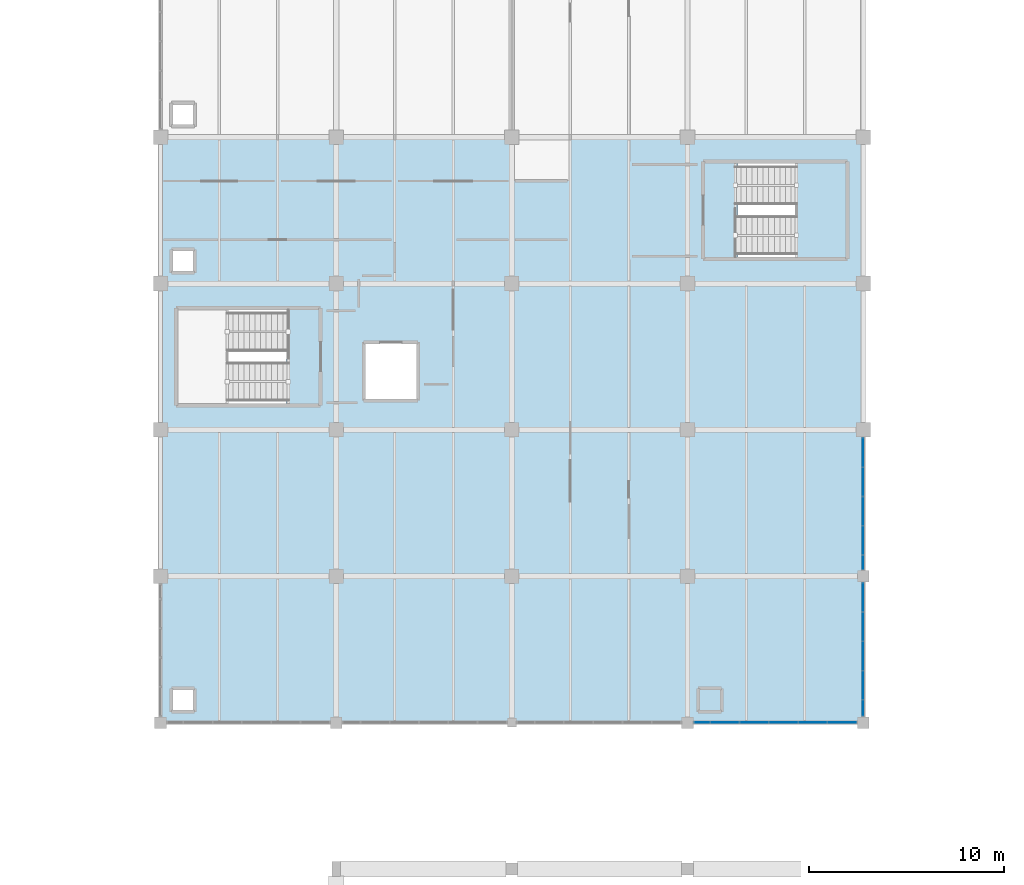
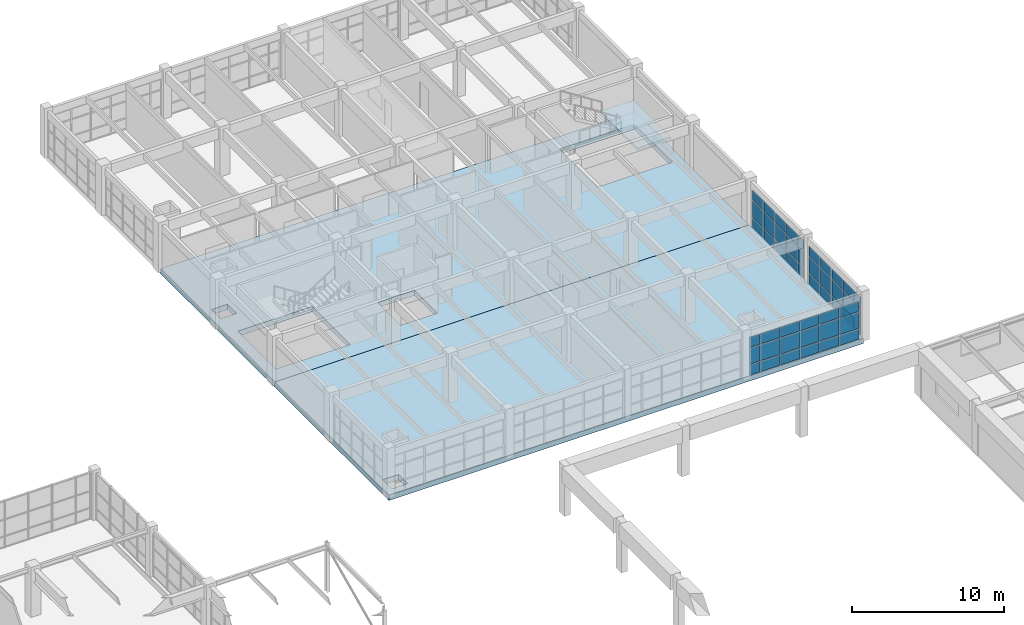
# One storey, part 50 of 76: 48 plates, 3 slabs, 4 elements without a shape of their own.
"""IFC4 building model written with IfcOpenShell, lengths in metres."""

from ifc_helpers import new_model, si_unit, direction, frame, origin, origin_2d, place, context, subcontext, project, spatial, polyline, rectangle, outline, extrude, material, layer, layer_set, type_object, element, aggregate, save


model = new_model("IFC4")

# Units and contexts
model_context = context("Model", 3, precision=1e-05, world=origin(), true_north=direction((0.0, 1.0)))
body_context = subcontext(model_context, "Body", "Model", "MODEL_VIEW")
ifc_project = project(units=[si_unit("LENGTHUNIT", "METRE"), si_unit("AREAUNIT", "SQUARE_METRE"), si_unit("VOLUMEUNIT", "CUBIC_METRE"), si_unit("PLANEANGLEUNIT", "RADIAN"), si_unit("MASSUNIT", "GRAM", prefix="KILO")], contexts=[model_context])

# Site, building, storey
site_placement = place(None, origin())
site = spatial("IfcSite", under=ifc_project, at=site_placement, CompositionType="ELEMENT")
building_placement = place(site_placement, origin())
building = spatial("IfcBuilding", under=site, at=building_placement, Name="Marnridge Secondary College", CompositionType="ELEMENT")
storey_placement = place(building_placement, frame((0.0, 0.0, 4.5)))
storey = spatial("IfcBuildingStorey", under=building, at=storey_placement, Name="L01", CompositionType="ELEMENT", Elevation=4.5)

# Curtain wall, plates
ifc_material_1 = material(Name="Thermally broken aluminium and low-E glazing", Category="aluminium")
ifc_layer_1 = layer(ifc_material_1, 0.159912109375)
ifc_layer_set_1 = layer_set([ifc_layer_1], Name="CW-MOD-1500")
curtain_wall_type = type_object("IfcCurtainWallType", Name="CW-MOD-1500", PredefinedType="NOTDEFINED", material=ifc_layer_set_1)
curtain_wall_1_placement = place(storey_placement, origin())
curtain_wall_1 = element("IfcCurtainWall", 1, at=curtain_wall_1_placement, inside=storey, type_object=curtain_wall_type, Name="Unitised curtain wall CW-L01-033", PredefinedType="NOTDEFINED")
ifc_material_2 = material(Name="Double-glazed low-E argon unit", Category="glass")
ifc_layer_2 = layer(ifc_material_2, 0.028076171875)
ifc_layer_set_2 = layer_set([ifc_layer_2], Name="CWP-GLZ28")
plate_type = type_object("IfcPlateType", Name="CWP-GLZ28", PredefinedType="CURTAIN_PANEL", material=ifc_layer_set_2)
plate_1_placement = place(storey_placement, frame((90.0, 51.341064453125, 0.06005859375), z_axis=(0.0, 0.0, 1.0), x_axis=(0.0, -1.0, 0.0)))
plate_1 = element("IfcPlate", 2, at=plate_1_placement, type_object=plate_type, Name="CW-L01-033 panel 1.1", PredefinedType="CURTAIN_PANEL", context=body_context, shape_type="SweptSolid", body=[
    extrude(rectangle(XDim=1.43994140625, YDim=0.028076171875, at=origin_2d()), origin(), (0.0, 0.0, 1.0), 0.81005859375),
])
plate_2_placement = place(storey_placement, frame((90.0, 51.341064453125, 0.929931640625), z_axis=(0.0, 0.0, 1.0), x_axis=(0.0, -1.0, 0.0)))
plate_2 = element("IfcPlate", 3, at=plate_2_placement, type_object=plate_type, Name="CW-L01-033 panel 1.2", PredefinedType="CURTAIN_PANEL", context=body_context, shape_type="SweptSolid", body=[
    extrude(rectangle(XDim=1.43994140625, YDim=0.028076171875, at=origin_2d()), origin(), (0.0, 0.0, 1.0), 1.2900390625),
])
plate_3_placement = place(storey_placement, frame((90.0, 51.341064453125, 2.2802734375), z_axis=(0.0, 0.0, 1.0), x_axis=(0.0, -1.0, 0.0)))
plate_3 = element("IfcPlate", 4, at=plate_3_placement, type_object=plate_type, Name="CW-L01-033 panel 1.3", PredefinedType="CURTAIN_PANEL", context=body_context, shape_type="SweptSolid", body=[
    extrude(rectangle(XDim=1.43994140625, YDim=0.028076171875, at=origin_2d()), origin(), (0.0, 0.0, 1.0), 0.806884765625),
])
plate_4_placement = place(storey_placement, frame((90.0, 49.841064453125, 0.06005859375), z_axis=(0.0, 0.0, 1.0), x_axis=(0.0, -1.0, 0.0)))
plate_4 = element("IfcPlate", 5, at=plate_4_placement, type_object=plate_type, Name="CW-L01-033 panel 2.1", PredefinedType="CURTAIN_PANEL", context=body_context, shape_type="SweptSolid", body=[
    extrude(rectangle(XDim=1.43994140625, YDim=0.028076171875, at=origin_2d()), origin(), (0.0, 0.0, 1.0), 0.81005859375),
])
plate_5_placement = place(storey_placement, frame((90.0, 49.841064453125, 0.929931640625), z_axis=(0.0, 0.0, 1.0), x_axis=(0.0, -1.0, 0.0)))
plate_5 = element("IfcPlate", 6, at=plate_5_placement, type_object=plate_type, Name="CW-L01-033 panel 2.2", PredefinedType="CURTAIN_PANEL", context=body_context, shape_type="SweptSolid", body=[
    extrude(rectangle(XDim=1.43994140625, YDim=0.028076171875, at=origin_2d()), origin(), (0.0, 0.0, 1.0), 1.2900390625),
])
plate_6_placement = place(storey_placement, frame((90.0, 49.841064453125, 2.2802734375), z_axis=(0.0, 0.0, 1.0), x_axis=(0.0, -1.0, 0.0)))
plate_6 = element("IfcPlate", 7, at=plate_6_placement, type_object=plate_type, Name="CW-L01-033 panel 2.3", PredefinedType="CURTAIN_PANEL", context=body_context, shape_type="SweptSolid", body=[
    extrude(rectangle(XDim=1.43994140625, YDim=0.028076171875, at=origin_2d()), origin(), (0.0, 0.0, 1.0), 0.806884765625),
])
plate_7_placement = place(storey_placement, frame((90.0, 48.341064453125, 0.06005859375), z_axis=(0.0, 0.0, 1.0), x_axis=(0.0, -1.0, 0.0)))
plate_7 = element("IfcPlate", 8, at=plate_7_placement, type_object=plate_type, Name="CW-L01-033 panel 3.1", PredefinedType="CURTAIN_PANEL", context=body_context, shape_type="SweptSolid", body=[
    extrude(rectangle(XDim=1.43994140625, YDim=0.028076171875, at=origin_2d()), origin(), (0.0, 0.0, 1.0), 0.81005859375),
])
plate_8_placement = place(storey_placement, frame((90.0, 48.341064453125, 0.929931640625), z_axis=(0.0, 0.0, 1.0), x_axis=(0.0, -1.0, 0.0)))
plate_8 = element("IfcPlate", 9, at=plate_8_placement, type_object=plate_type, Name="CW-L01-033 panel 3.2", PredefinedType="CURTAIN_PANEL", context=body_context, shape_type="SweptSolid", body=[
    extrude(rectangle(XDim=1.43994140625, YDim=0.028076171875, at=origin_2d()), origin(), (0.0, 0.0, 1.0), 1.2900390625),
])
plate_9_placement = place(storey_placement, frame((90.0, 48.341064453125, 2.2802734375), z_axis=(0.0, 0.0, 1.0), x_axis=(0.0, -1.0, 0.0)))
plate_9 = element("IfcPlate", 10, at=plate_9_placement, type_object=plate_type, Name="CW-L01-033 panel 3.3", PredefinedType="CURTAIN_PANEL", context=body_context, shape_type="SweptSolid", body=[
    extrude(rectangle(XDim=1.43994140625, YDim=0.028076171875, at=origin_2d()), origin(), (0.0, 0.0, 1.0), 0.806884765625),
])
plate_10_placement = place(storey_placement, frame((90.0, 46.841064453125, 0.06005859375), z_axis=(0.0, 0.0, 1.0), x_axis=(0.0, -1.0, 0.0)))
plate_10 = element("IfcPlate", 11, at=plate_10_placement, type_object=plate_type, Name="CW-L01-033 panel 4.1", PredefinedType="CURTAIN_PANEL", context=body_context, shape_type="SweptSolid", body=[
    extrude(rectangle(XDim=1.43994140625, YDim=0.028076171875, at=origin_2d()), origin(), (0.0, 0.0, 1.0), 0.81005859375),
])
plate_11_placement = place(storey_placement, frame((90.0, 46.841064453125, 0.929931640625), z_axis=(0.0, 0.0, 1.0), x_axis=(0.0, -1.0, 0.0)))
plate_11 = element("IfcPlate", 12, at=plate_11_placement, type_object=plate_type, Name="CW-L01-033 panel 4.2", PredefinedType="CURTAIN_PANEL", context=body_context, shape_type="SweptSolid", body=[
    extrude(rectangle(XDim=1.43994140625, YDim=0.028076171875, at=origin_2d()), origin(), (0.0, 0.0, 1.0), 1.2900390625),
])
plate_12_placement = place(storey_placement, frame((90.0, 46.841064453125, 2.2802734375), z_axis=(0.0, 0.0, 1.0), x_axis=(0.0, -1.0, 0.0)))
plate_12 = element("IfcPlate", 13, at=plate_12_placement, type_object=plate_type, Name="CW-L01-033 panel 4.3", PredefinedType="CURTAIN_PANEL", context=body_context, shape_type="SweptSolid", body=[
    extrude(rectangle(XDim=1.43994140625, YDim=0.028076171875, at=origin_2d()), origin(), (0.0, 0.0, 1.0), 0.806884765625),
])
plate_13_placement = place(storey_placement, frame((90.0, 45.71240234375, 0.06005859375), z_axis=(0.0, 0.0, 1.0), x_axis=(0.0, -1.0, 0.0)))
plate_13 = element("IfcPlate", 14, at=plate_13_placement, type_object=plate_type, Name="CW-L01-033 panel 5.1", PredefinedType="CURTAIN_PANEL", context=body_context, shape_type="SweptSolid", body=[
    extrude(rectangle(XDim=0.697021484375, YDim=0.028076171875, at=origin_2d()), origin(), (0.0, 0.0, 1.0), 0.81005859375),
])
plate_14_placement = place(storey_placement, frame((90.0, 45.71240234375, 0.929931640625), z_axis=(0.0, 0.0, 1.0), x_axis=(0.0, -1.0, 0.0)))
plate_14 = element("IfcPlate", 15, at=plate_14_placement, type_object=plate_type, Name="CW-L01-033 panel 5.2", PredefinedType="CURTAIN_PANEL", context=body_context, shape_type="SweptSolid", body=[
    extrude(rectangle(XDim=0.697021484375, YDim=0.028076171875, at=origin_2d()), origin(), (0.0, 0.0, 1.0), 1.2900390625),
])
plate_15_placement = place(storey_placement, frame((90.0, 45.71240234375, 2.2802734375), z_axis=(0.0, 0.0, 1.0), x_axis=(0.0, -1.0, 0.0)))
plate_15 = element("IfcPlate", 16, at=plate_15_placement, type_object=plate_type, Name="CW-L01-033 panel 5.3", PredefinedType="CURTAIN_PANEL", context=body_context, shape_type="SweptSolid", body=[
    extrude(rectangle(XDim=0.697021484375, YDim=0.028076171875, at=origin_2d()), origin(), (0.0, 0.0, 1.0), 0.806884765625),
])
aggregate(curtain_wall_1, [plate_1, plate_2, plate_3, plate_4, plate_5, plate_6, plate_7, plate_8, plate_9, plate_10, plate_11, plate_12, plate_13, plate_14, plate_15])

curtain_wall_2_placement = place(storey_placement, origin())
curtain_wall_2 = element("IfcCurtainWall", 17, at=curtain_wall_2_placement, inside=storey, type_object=curtain_wall_type, Name="Unitised curtain wall CW-L01-034", PredefinedType="NOTDEFINED")
plate_16_placement = place(storey_placement, frame((90.0, 43.916015625, 0.06005859375), z_axis=(0.0, 0.0, 1.0), x_axis=(0.0, -1.0, 0.0)))
plate_16 = element("IfcPlate", 18, at=plate_16_placement, type_object=plate_type, Name="CW-L01-034 panel 1.1", PredefinedType="CURTAIN_PANEL", context=body_context, shape_type="SweptSolid", body=[
    extrude(rectangle(XDim=1.43994140625, YDim=0.028076171875, at=origin_2d()), origin(), (0.0, 0.0, 1.0), 0.81005859375),
])
plate_17_placement = place(storey_placement, frame((90.0, 43.916015625, 0.929931640625), z_axis=(0.0, 0.0, 1.0), x_axis=(0.0, -1.0, 0.0)))
plate_17 = element("IfcPlate", 19, at=plate_17_placement, type_object=plate_type, Name="CW-L01-034 panel 1.2", PredefinedType="CURTAIN_PANEL", context=body_context, shape_type="SweptSolid", body=[
    extrude(rectangle(XDim=1.43994140625, YDim=0.028076171875, at=origin_2d()), origin(), (0.0, 0.0, 1.0), 1.2900390625),
])
plate_18_placement = place(storey_placement, frame((90.0, 43.916015625, 2.2802734375), z_axis=(0.0, 0.0, 1.0), x_axis=(0.0, -1.0, 0.0)))
plate_18 = element("IfcPlate", 20, at=plate_18_placement, type_object=plate_type, Name="CW-L01-034 panel 1.3", PredefinedType="CURTAIN_PANEL", context=body_context, shape_type="SweptSolid", body=[
    extrude(rectangle(XDim=1.43994140625, YDim=0.028076171875, at=origin_2d()), origin(), (0.0, 0.0, 1.0), 0.806884765625),
])
plate_19_placement = place(storey_placement, frame((90.0, 42.416015625, 0.06005859375), z_axis=(0.0, 0.0, 1.0), x_axis=(0.0, -1.0, 0.0)))
plate_19 = element("IfcPlate", 21, at=plate_19_placement, type_object=plate_type, Name="CW-L01-034 panel 2.1", PredefinedType="CURTAIN_PANEL", context=body_context, shape_type="SweptSolid", body=[
    extrude(rectangle(XDim=1.43994140625, YDim=0.028076171875, at=origin_2d()), origin(), (0.0, 0.0, 1.0), 0.81005859375),
])
plate_20_placement = place(storey_placement, frame((90.0, 42.416015625, 0.929931640625), z_axis=(0.0, 0.0, 1.0), x_axis=(0.0, -1.0, 0.0)))
plate_20 = element("IfcPlate", 22, at=plate_20_placement, type_object=plate_type, Name="CW-L01-034 panel 2.2", PredefinedType="CURTAIN_PANEL", context=body_context, shape_type="SweptSolid", body=[
    extrude(rectangle(XDim=1.43994140625, YDim=0.028076171875, at=origin_2d()), origin(), (0.0, 0.0, 1.0), 1.2900390625),
])
plate_21_placement = place(storey_placement, frame((90.0, 42.416015625, 2.2802734375), z_axis=(0.0, 0.0, 1.0), x_axis=(0.0, -1.0, 0.0)))
plate_21 = element("IfcPlate", 23, at=plate_21_placement, type_object=plate_type, Name="CW-L01-034 panel 2.3", PredefinedType="CURTAIN_PANEL", context=body_context, shape_type="SweptSolid", body=[
    extrude(rectangle(XDim=1.43994140625, YDim=0.028076171875, at=origin_2d()), origin(), (0.0, 0.0, 1.0), 0.806884765625),
])
plate_22_placement = place(storey_placement, frame((90.0, 40.916015625, 0.06005859375), z_axis=(0.0, 0.0, 1.0), x_axis=(0.0, -1.0, 0.0)))
plate_22 = element("IfcPlate", 24, at=plate_22_placement, type_object=plate_type, Name="CW-L01-034 panel 3.1", PredefinedType="CURTAIN_PANEL", context=body_context, shape_type="SweptSolid", body=[
    extrude(rectangle(XDim=1.43994140625, YDim=0.028076171875, at=origin_2d()), origin(), (0.0, 0.0, 1.0), 0.81005859375),
])
plate_23_placement = place(storey_placement, frame((90.0, 40.916015625, 0.929931640625), z_axis=(0.0, 0.0, 1.0), x_axis=(0.0, -1.0, 0.0)))
plate_23 = element("IfcPlate", 25, at=plate_23_placement, type_object=plate_type, Name="CW-L01-034 panel 3.2", PredefinedType="CURTAIN_PANEL", context=body_context, shape_type="SweptSolid", body=[
    extrude(rectangle(XDim=1.43994140625, YDim=0.028076171875, at=origin_2d()), origin(), (0.0, 0.0, 1.0), 1.2900390625),
])
plate_24_placement = place(storey_placement, frame((90.0, 40.916015625, 2.2802734375), z_axis=(0.0, 0.0, 1.0), x_axis=(0.0, -1.0, 0.0)))
plate_24 = element("IfcPlate", 26, at=plate_24_placement, type_object=plate_type, Name="CW-L01-034 panel 3.3", PredefinedType="CURTAIN_PANEL", context=body_context, shape_type="SweptSolid", body=[
    extrude(rectangle(XDim=1.43994140625, YDim=0.028076171875, at=origin_2d()), origin(), (0.0, 0.0, 1.0), 0.806884765625),
])
plate_25_placement = place(storey_placement, frame((90.0, 39.416015625, 0.06005859375), z_axis=(0.0, 0.0, 1.0), x_axis=(0.0, -1.0, 0.0)))
plate_25 = element("IfcPlate", 27, at=plate_25_placement, type_object=plate_type, Name="CW-L01-034 panel 4.1", PredefinedType="CURTAIN_PANEL", context=body_context, shape_type="SweptSolid", body=[
    extrude(rectangle(XDim=1.43994140625, YDim=0.028076171875, at=origin_2d()), origin(), (0.0, 0.0, 1.0), 0.81005859375),
])
plate_26_placement = place(storey_placement, frame((90.0, 39.416015625, 0.929931640625), z_axis=(0.0, 0.0, 1.0), x_axis=(0.0, -1.0, 0.0)))
plate_26 = element("IfcPlate", 28, at=plate_26_placement, type_object=plate_type, Name="CW-L01-034 panel 4.2", PredefinedType="CURTAIN_PANEL", context=body_context, shape_type="SweptSolid", body=[
    extrude(rectangle(XDim=1.43994140625, YDim=0.028076171875, at=origin_2d()), origin(), (0.0, 0.0, 1.0), 1.2900390625),
])
plate_27_placement = place(storey_placement, frame((90.0, 39.416015625, 2.2802734375), z_axis=(0.0, 0.0, 1.0), x_axis=(0.0, -1.0, 0.0)))
plate_27 = element("IfcPlate", 29, at=plate_27_placement, type_object=plate_type, Name="CW-L01-034 panel 4.3", PredefinedType="CURTAIN_PANEL", context=body_context, shape_type="SweptSolid", body=[
    extrude(rectangle(XDim=1.43994140625, YDim=0.028076171875, at=origin_2d()), origin(), (0.0, 0.0, 1.0), 0.806884765625),
])
plate_28_placement = place(storey_placement, frame((90.0, 38.25, 0.06005859375), z_axis=(0.0, 0.0, 1.0), x_axis=(0.0, -1.0, 0.0)))
plate_28 = element("IfcPlate", 30, at=plate_28_placement, type_object=plate_type, Name="CW-L01-034 panel 5.1", PredefinedType="CURTAIN_PANEL", context=body_context, shape_type="SweptSolid", body=[
    extrude(rectangle(XDim=0.77197265625, YDim=0.028076171875, at=origin_2d()), origin(), (0.0, 0.0, 1.0), 0.81005859375),
])
plate_29_placement = place(storey_placement, frame((90.0, 38.25, 0.929931640625), z_axis=(0.0, 0.0, 1.0), x_axis=(0.0, -1.0, 0.0)))
plate_29 = element("IfcPlate", 31, at=plate_29_placement, type_object=plate_type, Name="CW-L01-034 panel 5.2", PredefinedType="CURTAIN_PANEL", context=body_context, shape_type="SweptSolid", body=[
    extrude(rectangle(XDim=0.77197265625, YDim=0.028076171875, at=origin_2d()), origin(), (0.0, 0.0, 1.0), 1.2900390625),
])
plate_30_placement = place(storey_placement, frame((90.0, 38.25, 2.2802734375), z_axis=(0.0, 0.0, 1.0), x_axis=(0.0, -1.0, 0.0)))
plate_30 = element("IfcPlate", 32, at=plate_30_placement, type_object=plate_type, Name="CW-L01-034 panel 5.3", PredefinedType="CURTAIN_PANEL", context=body_context, shape_type="SweptSolid", body=[
    extrude(rectangle(XDim=0.77197265625, YDim=0.028076171875, at=origin_2d()), origin(), (0.0, 0.0, 1.0), 0.806884765625),
])
aggregate(curtain_wall_2, [plate_16, plate_17, plate_18, plate_19, plate_20, plate_21, plate_22, plate_23, plate_24, plate_25, plate_26, plate_27, plate_28, plate_29, plate_30])

curtain_wall_3_placement = place(storey_placement, origin())
curtain_wall_3 = element("IfcCurtainWall", 33, at=curtain_wall_3_placement, inside=storey, type_object=curtain_wall_type, Name="Unitised curtain wall CW-L01-035", PredefinedType="NOTDEFINED")
plate_31_placement = place(storey_placement, frame((88.916015625, 37.5, 0.06005859375), z_axis=(0.0, 0.0, 1.0), x_axis=(-1.0, 0.0, 0.0)))
plate_31 = element("IfcPlate", 34, at=plate_31_placement, type_object=plate_type, Name="CW-L01-035 panel 1.1", PredefinedType="CURTAIN_PANEL", context=body_context, shape_type="SweptSolid", body=[
    extrude(rectangle(XDim=1.43994140625, YDim=0.028076171875, at=origin_2d()), origin(), (0.0, 0.0, 1.0), 0.81005859375),
])
plate_32_placement = place(storey_placement, frame((88.916015625, 37.5, 0.929931640625), z_axis=(0.0, 0.0, 1.0), x_axis=(-1.0, 0.0, 0.0)))
plate_32 = element("IfcPlate", 35, at=plate_32_placement, type_object=plate_type, Name="CW-L01-035 panel 1.2", PredefinedType="CURTAIN_PANEL", context=body_context, shape_type="SweptSolid", body=[
    extrude(rectangle(XDim=1.43994140625, YDim=0.028076171875, at=origin_2d()), origin(), (0.0, 0.0, 1.0), 1.2900390625),
])
plate_33_placement = place(storey_placement, frame((88.916015625, 37.5, 2.2802734375), z_axis=(0.0, 0.0, 1.0), x_axis=(-1.0, 0.0, 0.0)))
plate_33 = element("IfcPlate", 36, at=plate_33_placement, type_object=plate_type, Name="CW-L01-035 panel 1.3", PredefinedType="CURTAIN_PANEL", context=body_context, shape_type="SweptSolid", body=[
    extrude(rectangle(XDim=1.43994140625, YDim=0.028076171875, at=origin_2d()), origin(), (0.0, 0.0, 1.0), 0.806884765625),
])
plate_34_placement = place(storey_placement, frame((87.416015625, 37.5, 0.06005859375), z_axis=(0.0, 0.0, 1.0), x_axis=(-1.0, 0.0, 0.0)))
plate_34 = element("IfcPlate", 37, at=plate_34_placement, type_object=plate_type, Name="CW-L01-035 panel 2.1", PredefinedType="CURTAIN_PANEL", context=body_context, shape_type="SweptSolid", body=[
    extrude(rectangle(XDim=1.43994140625, YDim=0.028076171875, at=origin_2d()), origin(), (0.0, 0.0, 1.0), 0.81005859375),
])
plate_35_placement = place(storey_placement, frame((87.416015625, 37.5, 0.929931640625), z_axis=(0.0, 0.0, 1.0), x_axis=(-1.0, 0.0, 0.0)))
plate_35 = element("IfcPlate", 38, at=plate_35_placement, type_object=plate_type, Name="CW-L01-035 panel 2.2", PredefinedType="CURTAIN_PANEL", context=body_context, shape_type="SweptSolid", body=[
    extrude(rectangle(XDim=1.43994140625, YDim=0.028076171875, at=origin_2d()), origin(), (0.0, 0.0, 1.0), 1.2900390625),
])
plate_36_placement = place(storey_placement, frame((87.416015625, 37.5, 2.2802734375), z_axis=(0.0, 0.0, 1.0), x_axis=(-1.0, 0.0, 0.0)))
plate_36 = element("IfcPlate", 39, at=plate_36_placement, type_object=plate_type, Name="CW-L01-035 panel 2.3", PredefinedType="CURTAIN_PANEL", context=body_context, shape_type="SweptSolid", body=[
    extrude(rectangle(XDim=1.43994140625, YDim=0.028076171875, at=origin_2d()), origin(), (0.0, 0.0, 1.0), 0.806884765625),
])
plate_37_placement = place(storey_placement, frame((85.916015625, 37.5, 0.06005859375), z_axis=(0.0, 0.0, 1.0), x_axis=(-1.0, 0.0, 0.0)))
plate_37 = element("IfcPlate", 40, at=plate_37_placement, type_object=plate_type, Name="CW-L01-035 panel 3.1", PredefinedType="CURTAIN_PANEL", context=body_context, shape_type="SweptSolid", body=[
    extrude(rectangle(XDim=1.43994140625, YDim=0.028076171875, at=origin_2d()), origin(), (0.0, 0.0, 1.0), 0.81005859375),
])
plate_38_placement = place(storey_placement, frame((85.916015625, 37.5, 0.929931640625), z_axis=(0.0, 0.0, 1.0), x_axis=(-1.0, 0.0, 0.0)))
plate_38 = element("IfcPlate", 41, at=plate_38_placement, type_object=plate_type, Name="CW-L01-035 panel 3.2", PredefinedType="CURTAIN_PANEL", context=body_context, shape_type="SweptSolid", body=[
    extrude(rectangle(XDim=1.43994140625, YDim=0.028076171875, at=origin_2d()), origin(), (0.0, 0.0, 1.0), 1.2900390625),
])
plate_39_placement = place(storey_placement, frame((85.916015625, 37.5, 2.2802734375), z_axis=(0.0, 0.0, 1.0), x_axis=(-1.0, 0.0, 0.0)))
plate_39 = element("IfcPlate", 42, at=plate_39_placement, type_object=plate_type, Name="CW-L01-035 panel 3.3", PredefinedType="CURTAIN_PANEL", context=body_context, shape_type="SweptSolid", body=[
    extrude(rectangle(XDim=1.43994140625, YDim=0.028076171875, at=origin_2d()), origin(), (0.0, 0.0, 1.0), 0.806884765625),
])
plate_40_placement = place(storey_placement, frame((84.416015625, 37.5, 0.06005859375), z_axis=(0.0, 0.0, 1.0), x_axis=(-1.0, 0.0, 0.0)))
plate_40 = element("IfcPlate", 43, at=plate_40_placement, type_object=plate_type, Name="CW-L01-035 panel 4.1", PredefinedType="CURTAIN_PANEL", context=body_context, shape_type="SweptSolid", body=[
    extrude(rectangle(XDim=1.43994140625, YDim=0.028076171875, at=origin_2d()), origin(), (0.0, 0.0, 1.0), 0.81005859375),
])
plate_41_placement = place(storey_placement, frame((84.416015625, 37.5, 0.929931640625), z_axis=(0.0, 0.0, 1.0), x_axis=(-1.0, 0.0, 0.0)))
plate_41 = element("IfcPlate", 44, at=plate_41_placement, type_object=plate_type, Name="CW-L01-035 panel 4.2", PredefinedType="CURTAIN_PANEL", context=body_context, shape_type="SweptSolid", body=[
    extrude(rectangle(XDim=1.43994140625, YDim=0.028076171875, at=origin_2d()), origin(), (0.0, 0.0, 1.0), 1.2900390625),
])
plate_42_placement = place(storey_placement, frame((84.416015625, 37.5, 2.2802734375), z_axis=(0.0, 0.0, 1.0), x_axis=(-1.0, 0.0, 0.0)))
plate_42 = element("IfcPlate", 45, at=plate_42_placement, type_object=plate_type, Name="CW-L01-035 panel 4.3", PredefinedType="CURTAIN_PANEL", context=body_context, shape_type="SweptSolid", body=[
    extrude(rectangle(XDim=1.43994140625, YDim=0.028076171875, at=origin_2d()), origin(), (0.0, 0.0, 1.0), 0.806884765625),
])
plate_43_placement = place(storey_placement, frame((82.916015625, 37.5, 0.06005859375), z_axis=(0.0, 0.0, 1.0), x_axis=(-1.0, 0.0, 0.0)))
plate_43 = element("IfcPlate", 46, at=plate_43_placement, type_object=plate_type, Name="CW-L01-035 panel 5.1", PredefinedType="CURTAIN_PANEL", context=body_context, shape_type="SweptSolid", body=[
    extrude(rectangle(XDim=1.43994140625, YDim=0.028076171875, at=origin_2d()), origin(), (0.0, 0.0, 1.0), 0.81005859375),
])
plate_44_placement = place(storey_placement, frame((82.916015625, 37.5, 0.929931640625), z_axis=(0.0, 0.0, 1.0), x_axis=(-1.0, 0.0, 0.0)))
plate_44 = element("IfcPlate", 47, at=plate_44_placement, type_object=plate_type, Name="CW-L01-035 panel 5.2", PredefinedType="CURTAIN_PANEL", context=body_context, shape_type="SweptSolid", body=[
    extrude(rectangle(XDim=1.43994140625, YDim=0.028076171875, at=origin_2d()), origin(), (0.0, 0.0, 1.0), 1.2900390625),
])
plate_45_placement = place(storey_placement, frame((82.916015625, 37.5, 2.2802734375), z_axis=(0.0, 0.0, 1.0), x_axis=(-1.0, 0.0, 0.0)))
plate_45 = element("IfcPlate", 48, at=plate_45_placement, type_object=plate_type, Name="CW-L01-035 panel 5.3", PredefinedType="CURTAIN_PANEL", context=body_context, shape_type="SweptSolid", body=[
    extrude(rectangle(XDim=1.43994140625, YDim=0.028076171875, at=origin_2d()), origin(), (0.0, 0.0, 1.0), 0.806884765625),
])
plate_46_placement = place(storey_placement, frame((81.75, 37.5, 0.06005859375), z_axis=(0.0, 0.0, 1.0), x_axis=(-1.0, 0.0, 0.0)))
plate_46 = element("IfcPlate", 49, at=plate_46_placement, type_object=plate_type, Name="CW-L01-035 panel 6.1", PredefinedType="CURTAIN_PANEL", context=body_context, shape_type="SweptSolid", body=[
    extrude(rectangle(XDim=0.77197265625, YDim=0.028076171875, at=origin_2d()), origin(), (0.0, 0.0, 1.0), 0.81005859375),
])
plate_47_placement = place(storey_placement, frame((81.75, 37.5, 0.929931640625), z_axis=(0.0, 0.0, 1.0), x_axis=(-1.0, 0.0, 0.0)))
plate_47 = element("IfcPlate", 50, at=plate_47_placement, type_object=plate_type, Name="CW-L01-035 panel 6.2", PredefinedType="CURTAIN_PANEL", context=body_context, shape_type="SweptSolid", body=[
    extrude(rectangle(XDim=0.77197265625, YDim=0.028076171875, at=origin_2d()), origin(), (0.0, 0.0, 1.0), 1.2900390625),
])
plate_48_placement = place(storey_placement, frame((81.75, 37.5, 2.2802734375), z_axis=(0.0, 0.0, 1.0), x_axis=(-1.0, 0.0, 0.0)))
plate_48 = element("IfcPlate", 51, at=plate_48_placement, type_object=plate_type, Name="CW-L01-035 panel 6.3", PredefinedType="CURTAIN_PANEL", context=body_context, shape_type="SweptSolid", body=[
    extrude(rectangle(XDim=0.77197265625, YDim=0.028076171875, at=origin_2d()), origin(), (0.0, 0.0, 1.0), 0.806884765625),
])
aggregate(curtain_wall_3, [plate_31, plate_32, plate_33, plate_34, plate_35, plate_36, plate_37, plate_38, plate_39, plate_40, plate_41, plate_42, plate_43, plate_44, plate_45, plate_46, plate_47, plate_48])

# Stair, slab
ifc_material_3 = material(Name="Concrete C40/50 (AS 3600 N40, 40 MPa)", Category="concrete")
stair_type = type_object("IfcStairType", Name="STC1", PredefinedType="HALF_TURN_STAIR", material=ifc_material_3)
stair_placement = place(storey_placement, origin())
stair = element("IfcStair", 52, at=stair_placement, inside=storey, type_object=stair_type, Name="Fire-isolated stair ST-02-L01", PredefinedType="HALF_TURN_STAIR")
ifc_material_4 = material(Name="Concrete C40/50 (AS 3600 N40, 40 MPa)", Category="concrete")
ifc_layer_3 = layer(ifc_material_4, 0.199951171875)
ifc_layer_set_3 = layer_set([ifc_layer_3], Name="SL-LAND-200")
slab_type_1 = type_object("IfcSlabType", Name="SL-LAND-200", PredefinedType="LANDING", material=ifc_layer_set_3)
slab_1_placement = place(storey_placement, frame((0.0, 0.0, 1.800048828125)))
slab_1 = element("IfcSlab", 53, at=slab_1_placement, type_object=slab_type_1, Name="ST-02-L01 landing 1", PredefinedType="LANDING", context=body_context, shape_type="SweptSolid", body=[
    extrude(outline(polyline([(86.5849609375, 61.31005859375), (89.139892578125, 61.31005859375), (89.139892578125, 66.18994140625), (86.5849609375, 66.18994140625), (86.5849609375, 61.31005859375)])), origin(), (0.0, 0.0, 1.0), 0.199951171875),
])
aggregate(stair, [slab_1])

# Slabs
ifc_material_5 = material(Name="Concrete C50/60 (AS 3600 N50, 50 MPa)", Category="concrete")
ifc_layer_4 = layer(ifc_material_5, 0.419921875)
ifc_layer_set_4 = layer_set([ifc_layer_4], Name="SL-TRANS-420")
slab_type_2 = type_object("IfcSlabType", Name="SL-TRANS-420", PredefinedType="FLOOR", material=ifc_layer_set_4)
slab_2_placement = place(storey_placement, frame((0.0, 0.0, -0.419921875)))
element("IfcSlab", 54, at=slab_2_placement, inside=storey, type_object=slab_type_2, Name="Floor slab SL-L01-011", PredefinedType="FLOOR", context=body_context, shape_type="SweptSolid", body=[
    extrude(outline(polyline([(90.0, 37.5), (54.0, 37.5), (54.0, 52.5), (90.0, 52.5), (90.0, 37.5)]), holes=[polyline([(54.550048828125, 38.050048828125), (55.75, 38.050048828125), (55.75, 39.25), (54.550048828125, 39.25), (54.550048828125, 38.050048828125)])]), origin(), (0.0, 0.0, 1.0), 0.419921875),
])
slab_3_placement = place(storey_placement, frame((0.0, 0.0, -0.419921875)))
element("IfcSlab", 55, at=slab_3_placement, inside=storey, type_object=slab_type_2, Name="Floor slab SL-L01-012", PredefinedType="FLOOR", context=body_context, shape_type="SweptSolid", body=[
    extrude(outline(polyline([(90.0, 52.5), (54.0, 52.5), (54.0, 67.5), (90.0, 67.5), (90.0, 52.5)]), holes=[polyline([(54.800048828125, 53.75), (60.449951171875, 53.75), (60.449951171875, 58.75), (54.800048828125, 58.75), (54.800048828125, 53.75)]), polyline([(83.550048828125, 61.25), (89.199951171875, 61.25), (89.199951171875, 66.25), (83.550048828125, 66.25), (83.550048828125, 61.25)]), polyline([(64.39990234375, 54.0), (67.199951171875, 54.0), (67.199951171875, 57.0), (64.39990234375, 57.0), (64.39990234375, 54.0)]), polyline([(54.550048828125, 60.550048828125), (55.75, 60.550048828125), (55.75, 61.75), (54.550048828125, 61.75), (54.550048828125, 60.550048828125)])]), origin(), (0.0, 0.0, 1.0), 0.419921875),
])

save(model, "model.ifc")
